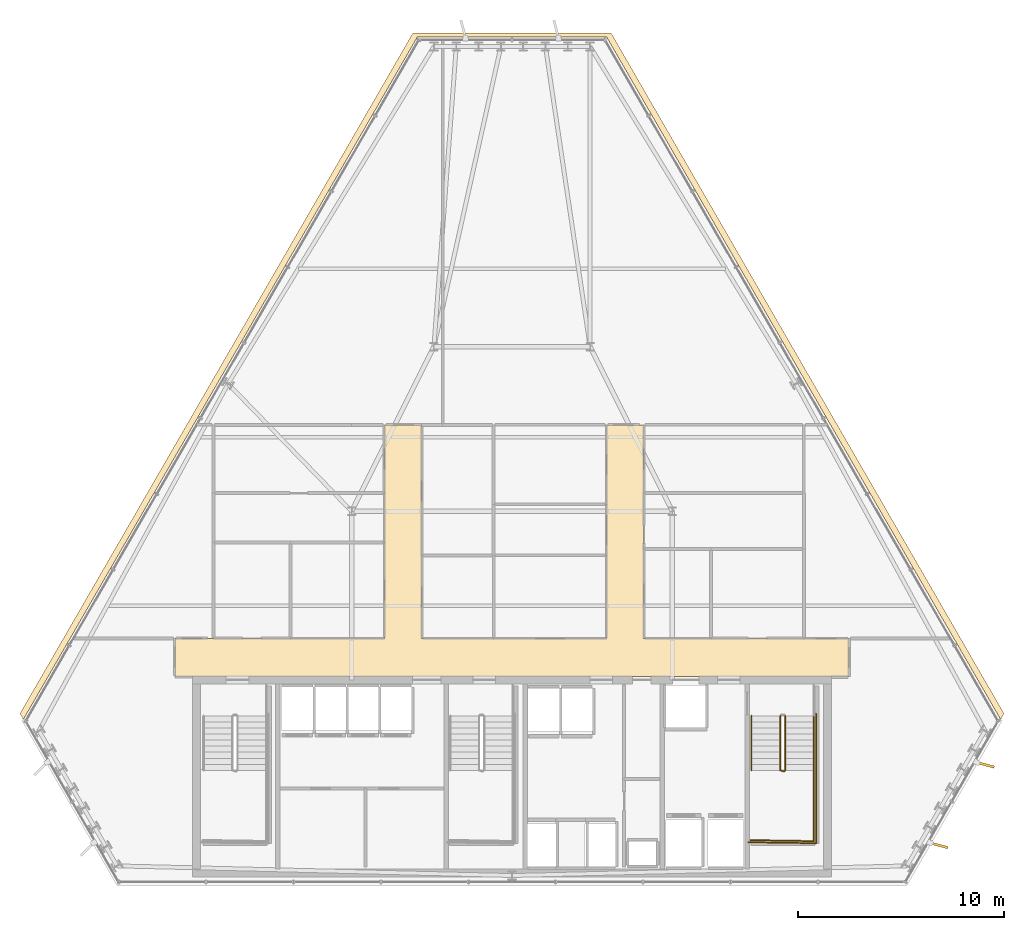
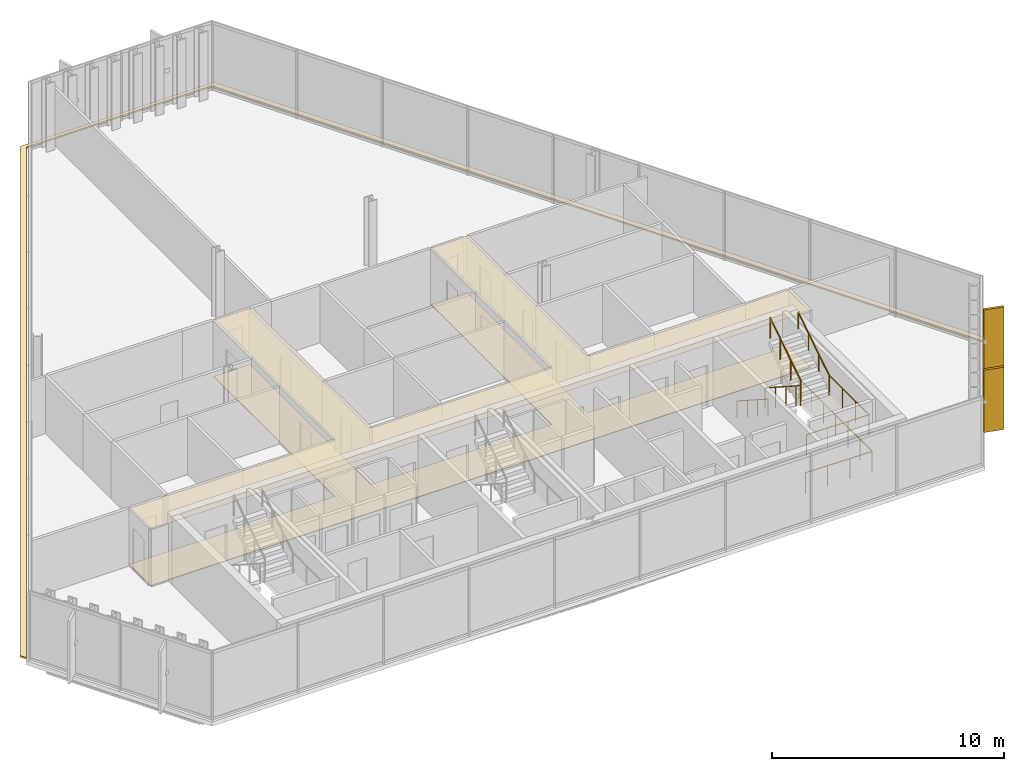
# One storey, part 32 of 34: 6 railings, 3 coverings, 2 shading devices.
"""IFC4 building model written with IfcOpenShell, lengths in metres."""

from ifc_helpers import new_model, si_unit, direction, frame, origin, origin_2d, place, context, subcontext, project, spatial, polyline, rectangle, circle, outline, extrude, material, layer, layer_set, type_object, element, save


model = new_model("IFC4")

# Units and contexts
model_context = context("Model", 3, precision=1e-05, world=origin(), true_north=direction((0.0, 1.0)))
body_context = subcontext(model_context, "Body", "Model", "MODEL_VIEW")
ifc_project = project(units=[si_unit("LENGTHUNIT", "METRE"), si_unit("AREAUNIT", "SQUARE_METRE"), si_unit("VOLUMEUNIT", "CUBIC_METRE"), si_unit("PLANEANGLEUNIT", "RADIAN"), si_unit("MASSUNIT", "GRAM", prefix="KILO")], contexts=[model_context])

# Site, building, storey
site_placement = place(None, origin())
site = spatial("IfcSite", under=ifc_project, at=site_placement, CompositionType="ELEMENT")
building_placement = place(site_placement, origin())
building = spatial("IfcBuilding", under=site, at=building_placement, Name="Ndaravel Arena Tower", CompositionType="ELEMENT")
storey_placement = place(building_placement, frame((0.0, 0.0, 191.60009765625)))
storey = spatial("IfcBuildingStorey", under=building, at=storey_placement, Name="L46", CompositionType="ELEMENT", Elevation=191.60009765625)

# Coverings
ifc_material_1 = material(Name="Acoustic Ceiling Tile", Category="finish")
ifc_layer_1 = layer(ifc_material_1, 0.02490234375)
ifc_layer_set_1 = layer_set([ifc_layer_1], Name="Acoustic Ceiling Tile")
covering_type_1 = type_object("IfcCoveringType", Name="COV-CEIL-AC600", PredefinedType="CEILING", material=ifc_layer_set_1)
covering_1_placement = place(storey_placement, frame((0.0, 0.0, 2.98046875)))
element("IfcCovering", 1, at=covering_1_placement, inside=storey, type_object=covering_type_1, Name="L46 Corridor Acoustic Ceiling", PredefinedType="CEILING", context=body_context, shape_type="SweptSolid", body=[
    extrude(outline(polyline([(58.39990234375, 17.0), (48.39990234375, 17.0), (48.39990234375, 27.39990234375), (46.60009765625, 27.39990234375), (46.60009765625, 17.0), (37.60009765625, 17.0), (37.60009765625, 27.39990234375), (35.800048828125, 27.39990234375), (35.800048828125, 17.0), (25.60009765625, 17.0), (25.60009765625, 15.14990234375), (58.39990234375, 15.14990234375), (58.39990234375, 17.0)])), origin(), (0.0, 0.0, 1.0), 0.02490234375),
])
ifc_material_2 = material(Name="Terrazzo", Category="stone")
ifc_layer_2 = layer(ifc_material_2, 0.030029296875)
ifc_layer_set_2 = layer_set([ifc_layer_2], Name="Terrazzo")
covering_type_2 = type_object("IfcCoveringType", Name="COV-FLOOR-TERRAZZO", PredefinedType="FLOORING", material=ifc_layer_set_2)
covering_2_placement = place(storey_placement, origin())
element("IfcCovering", 2, at=covering_2_placement, inside=storey, type_object=covering_type_2, Name="L46 Corridor Terrazzo Flooring", PredefinedType="FLOORING", context=body_context, shape_type="SweptSolid", body=[
    extrude(outline(polyline([(58.39990234375, 17.0), (48.39990234375, 17.0), (48.39990234375, 27.39990234375), (46.60009765625, 27.39990234375), (46.60009765625, 17.0), (37.60009765625, 17.0), (37.60009765625, 27.39990234375), (35.800048828125, 27.39990234375), (35.800048828125, 17.0), (25.60009765625, 17.0), (25.60009765625, 15.14990234375), (58.39990234375, 15.14990234375), (58.39990234375, 17.0)])), origin(), (0.0, 0.0, 1.0), 0.02978515625),
])
ifc_material_3 = material(Name="Roofing Membrane", Category="finish")
ifc_layer_3 = layer(ifc_material_3, 0.080078125)
ifc_layer_set_3 = layer_set([ifc_layer_3], Name="Roofing Membrane")
covering_type_3 = type_object("IfcCoveringType", Name="COV-ROOF-MEMB", PredefinedType="ROOFING", material=ifc_layer_set_3)
covering_3_placement = place(storey_placement, origin())
element("IfcCovering", 3, at=covering_3_placement, inside=storey, type_object=covering_type_3, Name="L46 Facet Setback Weathering Flashing", PredefinedType="ROOFING", context=body_context, shape_type="SweptSolid", body=[
    extrude(outline(polyline([(18.0673828125, 13.359375), (37.173583984375, 46.45263671875), (46.826416015625, 46.45263671875), (65.9326171875, 13.359375), (65.767578125, 13.073486328125), (46.60400390625, 46.26611328125), (37.39599609375, 46.26611328125), (18.232421875, 13.073486328125), (18.0673828125, 13.359375)])), origin(), (0.0, 0.0, 1.0), 0.079833984375),
])

# Railings
ifc_material_4 = material(Name="Steel S355", Category="steel")
ifc_layer_4 = layer(ifc_material_4, 0.06005859375)
ifc_layer_set_4 = layer_set([ifc_layer_4], Name="Steel S355")
railing_type_1 = type_object("IfcRailingType", Name="RAIL-STAIR-GD1100", PredefinedType="GUARDRAIL", material=ifc_layer_set_4)
railing_1_placement = place(storey_placement, frame((55.050048828125, 13.25, 0.18994140625)))
element("IfcRailing", 4, at=railing_1_placement, inside=storey, type_object=railing_type_1, Name="L46 ST-3 stair guard 1", PredefinedType="GUARDRAIL", context=body_context, shape_type="SweptSolid", body=[
    extrude(circle(Radius=0.02392578125, at=origin_2d()), frame((0.0, 0.0, 1.076171875), z_axis=(0.0, -0.840723540582, 0.54146461409), x_axis=(1.0, 0.0, 0.0)), (0.0, 0.0, 1.0), 3.157958984375),
    extrude(circle(Radius=0.02392578125, at=origin_2d()), frame((0.0, -2.655029296875, 2.7861328125), z_axis=(0.966993988697, -0.254799187253, 0.0), x_axis=(0.254799187253, 0.966993988697, 0.0)), (0.0, 0.0, 1.0), 0.196533203125),
    extrude(circle(Radius=0.02099609375, at=origin_2d()), origin(), (0.0, 0.0, 1.0), 1.052001953125),
    extrude(circle(Radius=0.02099609375, at=origin_2d()), frame((0.0, -0.885009765625, 0.570068359375)), (0.0, 0.0, 1.0), 1.052001953125),
    extrude(circle(Radius=0.02099609375, at=origin_2d()), frame((0.0, -1.77001953125, 1.139892578125)), (0.0, 0.0, 1.0), 1.052001953125),
    extrude(circle(Radius=0.02099609375, at=origin_2d()), frame((0.0, -2.655029296875, 1.7099609375)), (0.0, 0.0, 1.0), 1.052001953125),
    extrude(circle(Radius=0.02099609375, at=origin_2d()), frame((0.18994140625, -2.705078125, 1.7099609375)), (0.0, 0.0, 1.0), 1.052001953125),
])
railing_2_placement = place(storey_placement, frame((56.68994140625, 10.594970703125, 1.89990234375)))
element("IfcRailing", 5, at=railing_2_placement, inside=storey, type_object=railing_type_1, Name="L46 ST-3 stair guard 2", PredefinedType="GUARDRAIL", context=body_context, shape_type="SweptSolid", body=[
    extrude(circle(Radius=0.02392578125, at=origin_2d()), frame((0.0, 0.0, 1.076171875), z_axis=(0.0, -1.0, 0.0), x_axis=(1.0, 0.0, 0.0)), (0.0, 0.0, 1.0), 3.445068359375),
    extrude(circle(Radius=0.02392578125, at=origin_2d()), frame((0.0, -3.445068359375, 1.076171875), z_axis=(-0.999868840623, 0.016195726322, 0.0), x_axis=(-0.016195726322, -0.999868840623, 0.0)), (0.0, 0.0, 1.0), 3.09033203125),
    extrude(circle(Radius=0.02099609375, at=origin_2d()), origin(), (0.0, 0.0, 1.0), 1.052001953125),
    extrude(circle(Radius=0.02099609375, at=origin_2d()), frame((0.0, -1.1484375, 0.0)), (0.0, 0.0, 1.0), 1.052001953125),
    extrude(circle(Radius=0.02099609375, at=origin_2d()), frame((0.0, -2.296630859375, 0.0)), (0.0, 0.0, 1.0), 1.052001953125),
    extrude(circle(Radius=0.02099609375, at=origin_2d()), frame((0.0, -3.445068359375, 0.0)), (0.0, 0.0, 1.0), 1.052001953125),
    extrude(circle(Radius=0.02099609375, at=origin_2d()), frame((-1.030029296875, -3.428466796875, 0.0)), (0.0, 0.0, 1.0), 1.052001953125),
    extrude(circle(Radius=0.02099609375, at=origin_2d()), frame((-2.059814453125, -3.41162109375, 0.0)), (0.0, 0.0, 1.0), 1.052001953125),
    extrude(circle(Radius=0.02099609375, at=origin_2d()), frame((-3.08984375, -3.39501953125, 0.0)), (0.0, 0.0, 1.0), 1.052001953125),
])
railing_3_placement = place(storey_placement, frame((55.2900390625, 10.594970703125, 2.08984375)))
element("IfcRailing", 6, at=railing_3_placement, inside=storey, type_object=railing_type_1, Name="L46 ST-3 stair guard 3", PredefinedType="GUARDRAIL", context=body_context, shape_type="SweptSolid", body=[
    extrude(circle(Radius=0.02392578125, at=origin_2d()), frame((0.0, 0.0, 1.076171875), z_axis=(0.0, 0.840723540582, 0.54146461409), x_axis=(-1.0, 0.0, 0.0)), (0.0, 0.0, 1.0), 3.157958984375),
    extrude(circle(Radius=0.02099609375, at=origin_2d()), origin(), (0.0, 0.0, 1.0), 1.052001953125),
    extrude(circle(Radius=0.02099609375, at=origin_2d()), frame((0.0, 0.885009765625, 0.570068359375)), (0.0, 0.0, 1.0), 1.052001953125),
    extrude(circle(Radius=0.02099609375, at=origin_2d()), frame((0.0, 1.77001953125, 1.139892578125)), (0.0, 0.0, 1.0), 1.052001953125),
    extrude(circle(Radius=0.02099609375, at=origin_2d()), frame((0.0, 2.655029296875, 1.7099609375)), (0.0, 0.0, 1.0), 1.052001953125),
])
railing_4_placement = place(storey_placement, frame((56.7900390625, 13.35009765625, 0.0)))
element("IfcRailing", 7, at=railing_4_placement, inside=storey, type_object=railing_type_1, Name="L46 ST-3 stair guard 6", PredefinedType="GUARDRAIL", context=body_context, shape_type="SweptSolid", body=[
    extrude(circle(Radius=0.02392578125, at=origin_2d()), frame((0.0, 0.0, 1.076171875), z_axis=(0.0, -1.0, 0.0), x_axis=(1.0, 0.0, 0.0)), (0.0, 0.0, 1.0), 6.300048828125),
    extrude(circle(Radius=0.02392578125, at=origin_2d()), frame((0.0, -6.300048828125, 1.076171875), z_axis=(-0.99988431412, 0.015210469308, 0.0), x_axis=(-0.015210469308, -0.99988431412, 0.0)), (0.0, 0.0, 1.0), 3.29052734375),
    extrude(circle(Radius=0.02099609375, at=origin_2d()), origin(), (0.0, 0.0, 1.0), 1.052001953125),
    extrude(circle(Radius=0.02099609375, at=origin_2d()), frame((0.0, -1.050048828125, 0.0)), (0.0, 0.0, 1.0), 1.052001953125),
    extrude(circle(Radius=0.02099609375, at=origin_2d()), frame((0.0, -2.10009765625, 0.0)), (0.0, 0.0, 1.0), 1.052001953125),
    extrude(circle(Radius=0.02099609375, at=origin_2d()), frame((0.0, -3.14990234375, 0.0)), (0.0, 0.0, 1.0), 1.052001953125),
    extrude(circle(Radius=0.02099609375, at=origin_2d()), frame((0.0, -4.199951171875, 0.0)), (0.0, 0.0, 1.0), 1.052001953125),
    extrude(circle(Radius=0.02099609375, at=origin_2d()), frame((0.0, -5.25, 0.0)), (0.0, 0.0, 1.0), 1.052001953125),
    extrude(circle(Radius=0.02099609375, at=origin_2d()), frame((0.0, -6.300048828125, 0.0)), (0.0, 0.0, 1.0), 1.052001953125),
    extrude(circle(Radius=0.02099609375, at=origin_2d()), frame((-1.0966796875, -6.283447265625, 0.0)), (0.0, 0.0, 1.0), 1.052001953125),
    extrude(circle(Radius=0.02099609375, at=origin_2d()), frame((-2.193359375, -6.2666015625, 0.0)), (0.0, 0.0, 1.0), 1.052001953125),
    extrude(circle(Radius=0.02099609375, at=origin_2d()), frame((-3.2900390625, -6.25, 0.0)), (0.0, 0.0, 1.0), 1.052001953125),
])
ifc_material_5 = material(Name="Steel S355", Category="steel")
ifc_layer_5 = layer(ifc_material_5, 0.050048828125)
ifc_layer_set_5 = layer_set([ifc_layer_5], Name="Steel S355")
railing_type_2 = type_object("IfcRailingType", Name="RAIL-STAIR-HR920", PredefinedType="HANDRAIL", material=ifc_layer_set_5)
railing_5_placement = place(storey_placement, frame((53.64990234375, 13.25, 0.18994140625)))
element("IfcRailing", 8, at=railing_5_placement, inside=storey, type_object=railing_type_2, Name="L46 ST-3 stair handrail 1", PredefinedType="HANDRAIL", context=body_context, shape_type="SweptSolid", body=[
    extrude(circle(Radius=0.02392578125, at=origin_2d()), frame((0.0, 0.0, 0.8759765625), z_axis=(0.0, -0.840723540582, 0.54146461409), x_axis=(1.0, 0.0, 0.0)), (0.0, 0.0, 1.0), 3.157958984375),
    extrude(circle(Radius=0.02099609375, at=origin_2d()), origin(), (0.0, 0.0, 1.0), 0.851806640625),
    extrude(circle(Radius=0.02099609375, at=origin_2d()), frame((0.0, -0.885009765625, 0.570068359375)), (0.0, 0.0, 1.0), 0.851806640625),
    extrude(circle(Radius=0.02099609375, at=origin_2d()), frame((0.0, -1.77001953125, 1.139892578125)), (0.0, 0.0, 1.0), 0.851806640625),
    extrude(circle(Radius=0.02099609375, at=origin_2d()), frame((0.0, -2.655029296875, 1.7099609375)), (0.0, 0.0, 1.0), 0.851806640625),
])
railing_6_placement = place(storey_placement, frame((56.68994140625, 10.594970703125, 2.08984375)))
element("IfcRailing", 9, at=railing_6_placement, inside=storey, type_object=railing_type_2, Name="L46 ST-3 stair handrail 2", PredefinedType="HANDRAIL", context=body_context, shape_type="SweptSolid", body=[
    extrude(circle(Radius=0.02392578125, at=origin_2d()), frame((0.0, 0.0, 0.8759765625), z_axis=(0.0, 0.840723540582, 0.54146461409), x_axis=(-1.0, 0.0, 0.0)), (0.0, 0.0, 1.0), 3.157958984375),
    extrude(circle(Radius=0.02099609375, at=origin_2d()), origin(), (0.0, 0.0, 1.0), 0.851806640625),
    extrude(circle(Radius=0.02099609375, at=origin_2d()), frame((0.0, 0.885009765625, 0.570068359375)), (0.0, 0.0, 1.0), 0.851806640625),
    extrude(circle(Radius=0.02099609375, at=origin_2d()), frame((0.0, 1.77001953125, 1.139892578125)), (0.0, 0.0, 1.0), 0.851806640625),
    extrude(circle(Radius=0.02099609375, at=origin_2d()), frame((0.0, 2.655029296875, 1.7099609375)), (0.0, 0.0, 1.0), 0.851806640625),
])

# Shading devices
ifc_material_6 = material(Name="Masonry", Category="masonry")
shading_device_type = type_object("IfcShadingDeviceType", Name="SHD-MAZERAS-FIN", PredefinedType="SHUTTER", material=ifc_material_6)
for number, where, z_axis, x_axis, name in (
    (10, (62.76318359375, 6.951416015625, 0.14990234375), (0.0, 0.0, 1.0), (0.965925826289, -0.258819045103, 0.0), "L46 Mazeras Stone Solar Fin E2.1"),
    (11, (65.02490234375, 10.868408203125, 0.14990234375), (0.0, 0.0, 1.0), (0.965925826289, -0.258819045103, 0.0), "L46 Mazeras Stone Solar Fin E2.2"),
):
    element("IfcShadingDevice", number, at=place(storey_placement, frame(where, z_axis=z_axis, x_axis=x_axis)), inside=storey, type_object=shading_device_type, Name=name, PredefinedType="SHUTTER", context=body_context, shape_type="SweptSolid", body=[
        extrude(rectangle(XDim=0.89990234375, YDim=0.1201171875, at=origin_2d()), origin(), (0.0, 0.0, 1.0), 3.280029296875),
    ])

save(model, "model.ifc")
